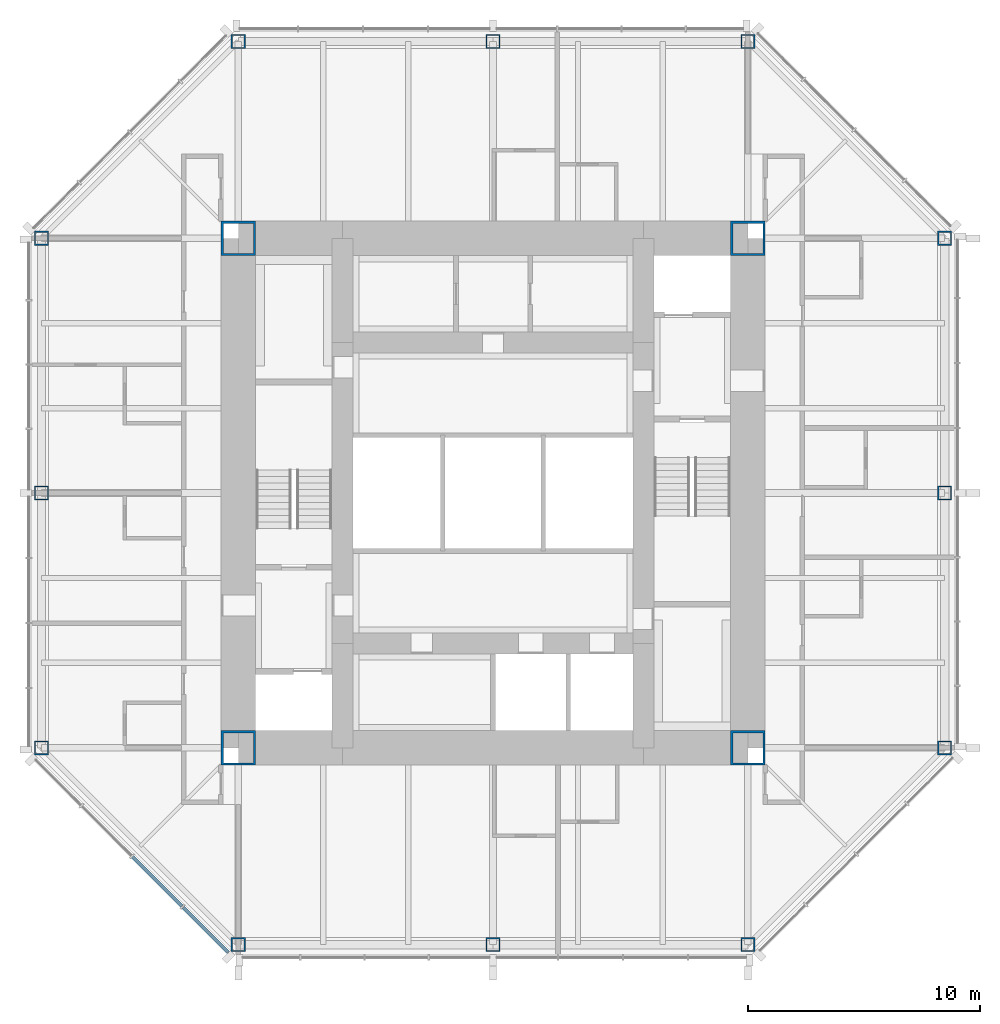
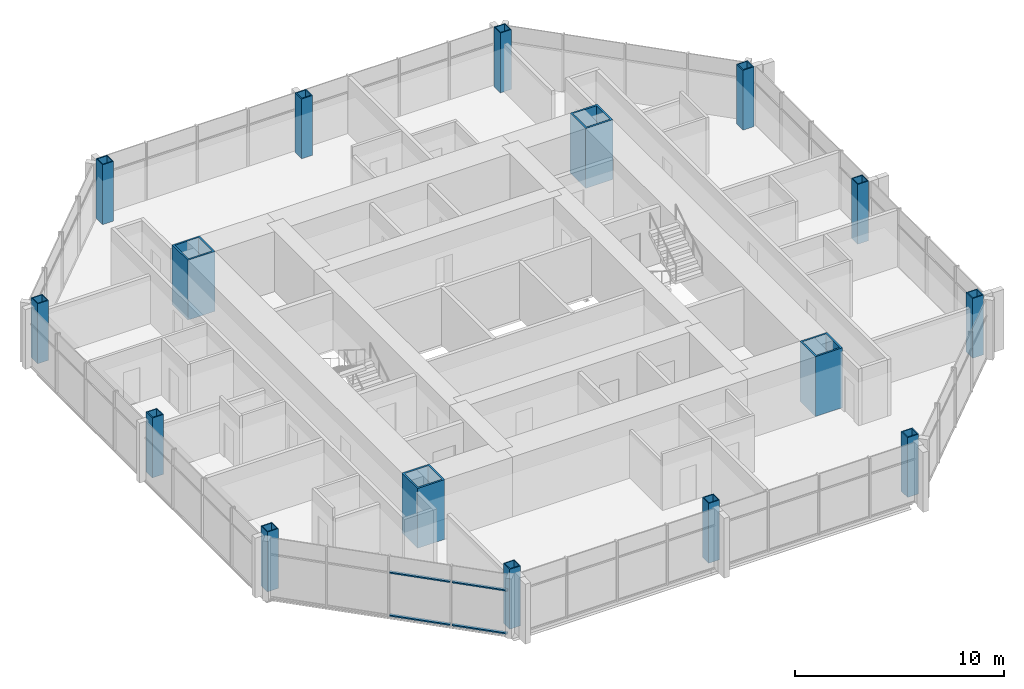
# One storey, part 1 of 11: 16 columns, 4 members, 1 element without a shape of its own.
"""IFC4 building model written with IfcOpenShell, lengths in metres."""

from ifc_helpers import new_model, si_unit, direction, frame, origin, origin_2d, place, context, subcontext, project, spatial, rectangle, hollow_rectangle, extrude, material, material_profile, profile_set, type_object, element, aggregate, save


model = new_model("IFC4")

# Units and contexts
model_context = context("Model", 3, precision=1e-05, world=origin(), true_north=direction((0.0, 1.0)))
body_context = subcontext(model_context, "Body", "Model", "MODEL_VIEW")
ifc_project = project(units=[si_unit("LENGTHUNIT", "METRE"), si_unit("AREAUNIT", "SQUARE_METRE"), si_unit("VOLUMEUNIT", "CUBIC_METRE"), si_unit("PLANEANGLEUNIT", "RADIAN"), si_unit("MASSUNIT", "GRAM", prefix="KILO")], contexts=[model_context])

# Site, building, storey
site_placement = place(None, origin())
site = spatial("IfcSite", under=ifc_project, at=site_placement, CompositionType="ELEMENT")
building_placement = place(site_placement, origin())
building = spatial("IfcBuilding", under=site, at=building_placement, Name="Trevanion Tower", CompositionType="ELEMENT")
storey_placement = place(building_placement, frame((0.0, 0.0, 250.199951171875)))
storey = spatial("IfcBuildingStorey", under=building, at=storey_placement, Name="L61", CompositionType="ELEMENT", Elevation=250.199951171875)

# Columns
ifc_material_1 = material(Name="Steel ASTM A572 Grade 50", Category="steel")
ifc_material_profile_1 = material_profile(ifc_material_1, hollow_rectangle(XDim=0.609619140625, YDim=0.609619140625, WallThickness=0.05078125, at=origin_2d()), Name="BOX24X24X2")
ifc_profile_set_1 = profile_set([ifc_material_profile_1], Name="Steel ASTM A572 Grade 50")
column_type_1 = type_object("IfcColumnType", Name="C5 BOX24X24X2", PredefinedType="COLUMN", material=ifc_profile_set_1)
for number, where, z_axis, x_axis, name in (
    (1, (-19.5, 0.0, 0.0), (0.0, 0.0, 1.0), (0.0, 1.0, 0.0), "C5 5/H L61"),
    (2, (-19.5, -11.0, 0.0), (0.0, 0.0, 1.0), (0.0, 1.0, 0.0), "C5 5/F L61"),
    (3, (-11.0, -19.5, 0.0), (0.0, 0.0, 1.0), (1.0, 0.0, 0.0), "C5 8/C L61"),
    (4, (0.0, -19.5, 0.0), (0.0, 0.0, 1.0), (1.0, 0.0, 0.0), "C5 10/C L61"),
    (5, (11.0, -19.5, 0.0), (0.0, 0.0, 1.0), (1.0, 0.0, 0.0), "C5 12/C L61"),
    (6, (19.5, -11.0, 0.0), (0.0, 0.0, 1.0), (0.0, 1.0, 0.0), "C5 15/F L61"),
    (7, (19.5, 0.0, 0.0), (0.0, 0.0, 1.0), (0.0, 1.0, 0.0), "C5 15/H L61"),
    (8, (19.5, 11.0, 0.0), (0.0, 0.0, 1.0), (0.0, 1.0, 0.0), "C5 15/K L61"),
    (9, (11.0, 19.5, 0.0), (0.0, 0.0, 1.0), (1.0, 0.0, 0.0), "C5 12/N L61"),
    (10, (0.0, 19.5, 0.0), (0.0, 0.0, 1.0), (1.0, 0.0, 0.0), "C5 10/N L61"),
    (11, (-11.0, 19.5, 0.0), (0.0, 0.0, 1.0), (1.0, 0.0, 0.0), "C5 8/N L61"),
    (12, (-19.5, 11.0, 0.0), (0.0, 0.0, 1.0), (0.0, 1.0, 0.0), "C5 5/K L61"),
):
    element("IfcColumn", number, at=place(storey_placement, frame(where, z_axis=z_axis, x_axis=x_axis)), inside=storey, type_object=column_type_1, Name=name, PredefinedType="COLUMN", context=body_context, shape_type="SweptSolid", body=[
        extrude(hollow_rectangle(XDim=0.609619140625, YDim=0.609619140625, WallThickness=0.05078125, at=origin_2d()), origin(), (0.0, 0.0, 1.0), 3.5),
    ])
ifc_material_2 = material(Name="Steel ASTM A572 Grade 50", Category="steel")
ifc_material_profile_2 = material_profile(ifc_material_2, hollow_rectangle(XDim=1.49853515625, YDim=1.49853515625, WallThickness=0.1015625, at=origin_2d()), Name="BOX59X59X4")
ifc_profile_set_2 = profile_set([ifc_material_profile_2], Name="Steel ASTM A572 Grade 50")
column_type_2 = type_object("IfcColumnType", Name="CB1 BOX59X59X4", PredefinedType="COLUMN", material=ifc_profile_set_2)
for number, where, z_axis, x_axis, name in (
    (13, (11.0, 11.0, 0.0), (0.0, 0.0, 1.0), (1.0, 0.0, 0.0), "CB1 NE L61"),
    (14, (-11.0, 11.0, 0.0), (0.0, 0.0, 1.0), (1.0, 0.0, 0.0), "CB1 NW L61"),
    (15, (-11.0, -11.0, 0.0), (0.0, 0.0, 1.0), (1.0, 0.0, 0.0), "CB1 SW L61"),
    (16, (11.0, -11.0, 0.0), (0.0, 0.0, 1.0), (1.0, 0.0, 0.0), "CB1 SE L61"),
):
    element("IfcColumn", number, at=place(storey_placement, frame(where, z_axis=z_axis, x_axis=x_axis)), inside=storey, type_object=column_type_2, Name=name, PredefinedType="COLUMN", context=body_context, shape_type="SweptSolid", body=[
        extrude(hollow_rectangle(XDim=1.49853515625, YDim=1.49853515625, WallThickness=0.1015625, at=origin_2d()), origin(), (0.0, 0.0, 1.0), 3.5),
    ])

# Curtain wall, members
ifc_material_3 = material(Name="Aluminium and glass", Category="aluminium")
curtain_wall_type = type_object("IfcCurtainWallType", Name="CW3 curtain wall", PredefinedType="USERDEFINED", material=ifc_material_3)
curtain_wall_placement = place(storey_placement, origin())
curtain_wall = element("IfcCurtainWall", 17, at=curtain_wall_placement, inside=storey, type_object=curtain_wall_type, Name="CW3 L61 5", ObjectType="UNITISED CURTAIN WALL", PredefinedType="USERDEFINED")
ifc_material_4 = material(Name="Aluminium extrusion, anodised bronze", Category="aluminium")
ifc_material_profile_3 = material_profile(ifc_material_4, rectangle(XDim=0.14990234375, YDim=0.074951171875, at=origin_2d()), Name="CW3 transom")
ifc_profile_set_3 = profile_set([ifc_material_profile_3], Name="Aluminium extrusion, anodised bronze")
member_type = type_object("IfcMemberType", Name="CW3 transom", PredefinedType="USERDEFINED", material=ifc_profile_set_3)
member_1_placement = place(storey_placement, frame((-15.56640625, -15.71142578125, -0.15234375), z_axis=(0.707106781187, -0.707106781187, 0.0), x_axis=(0.707106781187, 0.707106781187, 0.0)))
member_1 = element("IfcMember", 18, at=member_1_placement, type_object=member_type, Name="CW3 transom 3.1", ObjectType="TRANSOM", PredefinedType="USERDEFINED", context=body_context, shape_type="SweptSolid", body=[
    extrude(rectangle(XDim=0.14990234375, YDim=0.074951171875, at=origin_2d()), origin(), (0.0, 0.0, 1.0), 3.011474609375),
])
member_2_placement = place(storey_placement, frame((-15.56640625, -15.71142578125, 2.360107421875), z_axis=(0.707106781187, -0.707106781187, 0.0), x_axis=(0.707106781187, 0.707106781187, 0.0)))
member_2 = element("IfcMember", 19, at=member_2_placement, type_object=member_type, Name="CW3 transom 3.2", ObjectType="TRANSOM", PredefinedType="USERDEFINED", context=body_context, shape_type="SweptSolid", body=[
    extrude(rectangle(XDim=0.14990234375, YDim=0.074951171875, at=origin_2d()), origin(), (0.0, 0.0, 1.0), 3.011474609375),
])
member_3_placement = place(storey_placement, frame((-13.3837890625, -17.89404296875, -0.15234375), z_axis=(0.707106781187, -0.707106781187, 0.0), x_axis=(0.707106781187, 0.707106781187, 0.0)))
member_3 = element("IfcMember", 20, at=member_3_placement, type_object=member_type, Name="CW3 transom 4.1", ObjectType="TRANSOM", PredefinedType="USERDEFINED", context=body_context, shape_type="SweptSolid", body=[
    extrude(rectangle(XDim=0.14990234375, YDim=0.074951171875, at=origin_2d()), origin(), (0.0, 0.0, 1.0), 2.7490234375),
])
member_4_placement = place(storey_placement, frame((-13.3837890625, -17.89404296875, 2.360107421875), z_axis=(0.707106781187, -0.707106781187, 0.0), x_axis=(0.707106781187, 0.707106781187, 0.0)))
member_4 = element("IfcMember", 21, at=member_4_placement, type_object=member_type, Name="CW3 transom 4.2", ObjectType="TRANSOM", PredefinedType="USERDEFINED", context=body_context, shape_type="SweptSolid", body=[
    extrude(rectangle(XDim=0.14990234375, YDim=0.074951171875, at=origin_2d()), origin(), (0.0, 0.0, 1.0), 2.7490234375),
])
aggregate(curtain_wall, [member_1, member_2, member_3, member_4])

save(model, "model.ifc")
